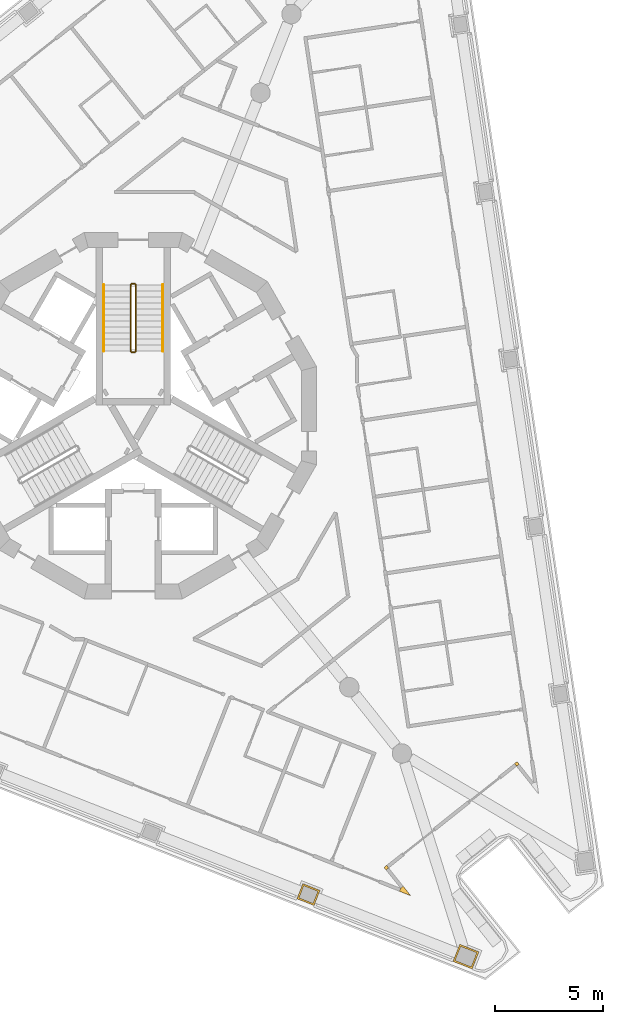
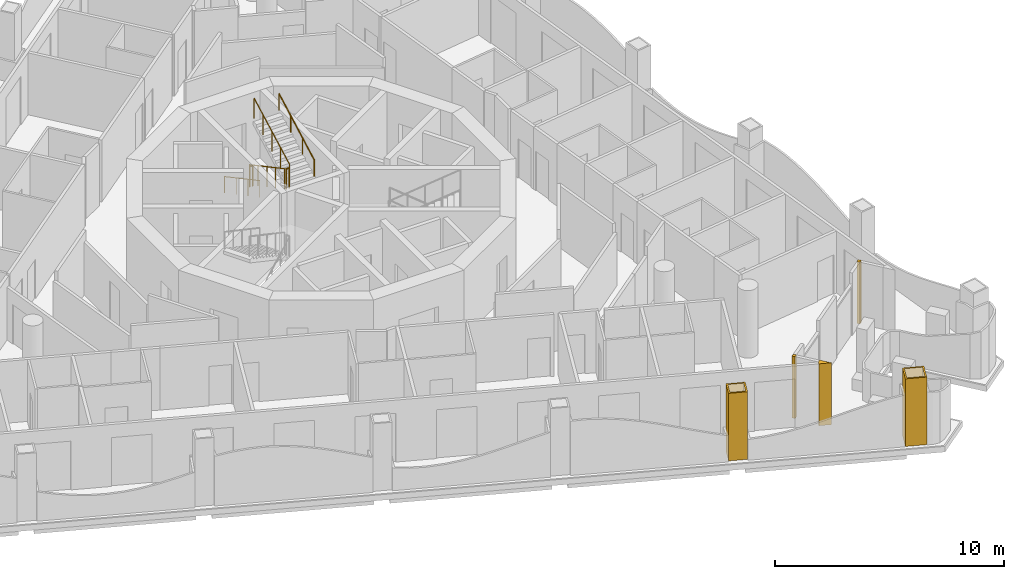
# One storey, part 13 of 16: 6 railings, 5 coverings.
"""IFC4 building model written with IfcOpenShell, lengths in metres."""

import ifcopenshell
import ifcopenshell.guid

model = None  # the IFC model being written
_history = None  # IfcOwnerHistory: only IFC2X3 demands one
_inside = {}  # id of a spatial element -> (the spatial element, [elements in it])
_under = {}  # id of a project, library or spatial element -> (it, [spatial elements below it])
_declared = {}  # id of a project -> (the project, [libraries it declares])
_typed = {}  # id of a type object -> (the type object, [elements of that type])
_made_of = {}  # id of a material, layer set ... -> (it, [elements and type objects made of it])


def new_model(schema):
    """Start an empty IFC model of exactly this schema.

    Asked for "IFC4X3", IfcOpenShell would pick the latest addendum, in which some entities
    have other attributes; the version numbers below select the first issue.
    IFC2X3 requires an IfcOwnerHistory on every rooted entity: one is made here for all.
    """
    global model, _history
    if schema == "IFC4X3":
        model = ifcopenshell.file(schema_version=(4, 3, 0, 0))
    else:
        model = ifcopenshell.file(schema=schema)
    _inside.clear()
    _under.clear()
    _declared.clear()
    _typed.clear()
    _made_of.clear()
    _history = None
    if model.schema == "IFC2X3":
        org = make("IfcOrganization", Name="unknown")
        user = make(
            "IfcPersonAndOrganization",
            ThePerson=make("IfcPerson", FamilyName="unknown"),
            TheOrganization=org,
        )
        app = make(
            "IfcApplication",
            ApplicationDeveloper=org,
            Version="unknown",
            ApplicationFullName="unknown",
            ApplicationIdentifier="unknown",
        )
        _history = make(
            "IfcOwnerHistory",
            OwningUser=user,
            OwningApplication=app,
            ChangeAction="ADDED",
            CreationDate=0,
        )
    return model


def make(cls, **values):
    """One entity of the class cls with the attributes given. An attribute that is None is left unset."""
    return model.create_entity(
        cls, **{name: value for name, value in values.items() if value is not None}
    )


def rooted(cls, **values):
    """An entity with a GlobalId (a new one), such as an element, a storey or a relation."""
    return make(cls, GlobalId=ifcopenshell.guid.new(), OwnerHistory=_history, **values)


def si_unit(unit_type, name, prefix=None):
    """IfcSIUnit, for example si_unit("LENGTHUNIT", "METRE", prefix="MILLI")."""
    return make("IfcSIUnit", UnitType=unit_type, Prefix=prefix, Name=name)


def assignment(units):
    """IfcUnitAssignment: the units of a project."""
    return None if units is None else make("IfcUnitAssignment", Units=units)


def point(xyz):
    """IfcCartesianPoint."""
    return None if xyz is None else make("IfcCartesianPoint", Coordinates=xyz)


def direction(xyz):
    """IfcDirection."""
    return None if xyz is None else make("IfcDirection", DirectionRatios=xyz)


def frame(location, z_axis=None, x_axis=None):
    """IfcAxis2Placement3D, a coordinate frame: its origin and axes. An axis left out is left unset."""
    return make(
        "IfcAxis2Placement3D",
        Location=point(location),
        Axis=direction(z_axis),
        RefDirection=direction(x_axis),
    )


def frame_2d(location, x_axis=None):
    """IfcAxis2Placement2D, a coordinate frame in the plane: its origin and x axis."""
    return make(
        "IfcAxis2Placement2D", Location=point(location), RefDirection=direction(x_axis)
    )


def origin():
    """The frame at (0, 0, 0) with its axes left unset."""
    return frame((0.0, 0.0, 0.0))


def origin_2d():
    """The frame at (0, 0) in the plane with its x axis left unset."""
    return frame_2d((0.0, 0.0))


def place(relative_to, where):
    """IfcLocalPlacement: puts the frame where relative to a parent placement (None: the world)."""
    return make(
        "IfcLocalPlacement", PlacementRelTo=relative_to, RelativePlacement=where
    )


def context(
    kind, dimensions, precision=None, world=None, true_north=None, identifier=None
):
    """IfcGeometricRepresentationContext, for example the 3D "Model" context."""
    return make(
        "IfcGeometricRepresentationContext",
        ContextIdentifier=identifier,
        ContextType=kind,
        CoordinateSpaceDimension=dimensions,
        Precision=precision,
        WorldCoordinateSystem=world,
        TrueNorth=true_north,
    )


def subcontext(parent, identifier, kind, view, scale=None):
    """IfcGeometricRepresentationSubContext, for example "Body" below "Model"."""
    return make(
        "IfcGeometricRepresentationSubContext",
        ContextIdentifier=identifier,
        ContextType=kind,
        ParentContext=parent,
        TargetScale=scale,
        TargetView=view,
    )


def project(units=None, contexts=None):
    """IfcProject with its units and contexts."""
    return rooted(
        "IfcProject",
        Name="project",
        RepresentationContexts=contexts,
        UnitsInContext=assignment(units),
    )


def spatial(cls, under=None, at=None, **own):
    """A site, building, storey or space (cls), placed at a placement, below another one or the project."""
    s = rooted(cls, ObjectPlacement=at, **own)
    if under is not None:
        _under.setdefault(under.id(), (under, []))[1].append(s)
    return s


def polyline(points):
    """IfcPolyline through the points."""
    return make("IfcPolyline", Points=[point(p) for p in points])


def profile(cls, at=None, kind="AREA", **sizes):
    """A parametric profile (cls). Its sizes go by their IFC names, for example OverallWidth=200.0."""
    return make(cls, ProfileType=kind, Position=at, **sizes)


def circle(**sizes):
    """IfcCircleProfileDef."""
    return profile("IfcCircleProfileDef", **sizes)


def outline(outer, holes=None, kind="AREA"):
    """IfcArbitraryClosedProfileDef: a profile drawn as a closed curve; with holes, ...WithVoids."""
    if holes is None:
        return make("IfcArbitraryClosedProfileDef", ProfileType=kind, OuterCurve=outer)
    return make(
        "IfcArbitraryProfileDefWithVoids",
        ProfileType=kind,
        OuterCurve=outer,
        InnerCurves=holes,
    )


def extrude(swept, where, along, depth):
    """IfcExtrudedAreaSolid: the profile swept, set in the frame where, extruded along a direction by depth."""
    return make(
        "IfcExtrudedAreaSolid",
        SweptArea=swept,
        Position=where,
        ExtrudedDirection=direction(along),
        Depth=depth,
    )


def shape(context_of_items, identifier, shape_type, items):
    """IfcShapeRepresentation: the items that make up one representation, for example the "Body"."""
    return make(
        "IfcShapeRepresentation",
        ContextOfItems=context_of_items,
        RepresentationIdentifier=identifier,
        RepresentationType=shape_type,
        Items=items,
    )


def material(Name=None, Category=None):
    """IfcMaterial."""
    return make("IfcMaterial", Name=Name, Category=Category)


def layer(
    of_material, thickness, ventilated=None, Name=None, Category=None, Priority=None
):
    """IfcMaterialLayer: one layer of a wall or slab, of a material (None: an air gap)."""
    return make(
        "IfcMaterialLayer",
        Material=of_material,
        LayerThickness=thickness,
        IsVentilated=ventilated,
        Name=Name,
        Category=Category,
        Priority=Priority,
    )


def layer_set(layers, Name=None):
    """IfcMaterialLayerSet."""
    return make("IfcMaterialLayerSet", MaterialLayers=layers, LayerSetName=Name)


def made_of(thing, what):
    """Note that an element or type object is made of a material, layer set ...; save() writes the relation."""
    if what is not None:
        _made_of.setdefault(what.id(), (what, []))[1].append(thing)
    return thing


def type_object(cls, material=None, **own):
    """A type object (cls), such as IfcWallType, which elements share."""
    return made_of(rooted(cls, **own), material)


def element(
    cls,
    number,
    at=None,
    inside=None,
    cuts=None,
    type_object=None,
    material=None,
    context=None,
    identifier="Body",
    shape_type=None,
    held_by="IfcProductDefinitionShape",
    body=None,
    shapes=None,
    **own,
):
    """One element of the class cls, such as IfcWall. Its Tag is "e" and its number.

    at: its placement. inside: the storey or other place that contains it. cuts: it is an
    opening in that element (IfcRelVoidsElement). A single representation is given by context,
    identifier, shape_type and body (its items); several are given by shapes. held_by: the class
    of the entity that holds the representations. save() writes the other relations.
    """
    e = rooted(cls, Tag="e%d" % number, ObjectPlacement=at, **own)
    if body is not None:
        shapes = [shape(context, identifier, shape_type, body)]
    if shapes is not None:
        e.Representation = make(held_by, Representations=shapes)
    if inside is not None:
        _inside.setdefault(inside.id(), (inside, []))[1].append(e)
    if cuts is not None:
        rooted(
            "IfcRelVoidsElement", RelatingBuildingElement=cuts, RelatedOpeningElement=e
        )
    if type_object is not None:
        _typed.setdefault(type_object.id(), (type_object, []))[1].append(e)
    return made_of(e, material)


def aggregate(whole, parts):
    """IfcRelAggregates: a whole, such as a stair, and the parts it consists of."""
    return rooted("IfcRelAggregates", RelatingObject=whole, RelatedObjects=parts)


def save(model, path):
    """Write the relations noted so far, then the file.

    IfcRelAggregates (storeys below a building ...), IfcRelContainedInSpatialStructure (elements
    in a storey), IfcRelDefinesByType, IfcRelAssociatesMaterial and IfcRelDeclares: one each for
    every whole, place, type object, material and project.
    """
    for whole, parts in _under.values():
        aggregate(whole, parts)
    for where, things in _inside.values():
        rooted(
            "IfcRelContainedInSpatialStructure",
            RelatedElements=things,
            RelatingStructure=where,
        )
    for kind, things in _typed.values():
        rooted("IfcRelDefinesByType", RelatedObjects=things, RelatingType=kind)
    for what, things in _made_of.values():
        rooted("IfcRelAssociatesMaterial", RelatedObjects=things, RelatingMaterial=what)
    for by, libraries in _declared.values():
        rooted("IfcRelDeclares", RelatingContext=by, RelatedDefinitions=libraries)
    model.write(path)


model = new_model("IFC4")

# Units and contexts
model_context = context("Model", 3, precision=1e-05, world=origin(), true_north=direction((0.0, 1.0)))
body_context = subcontext(model_context, "Body", "Model", "MODEL_VIEW")
ifc_project = project(units=[si_unit("LENGTHUNIT", "METRE"), si_unit("AREAUNIT", "SQUARE_METRE"), si_unit("VOLUMEUNIT", "CUBIC_METRE"), si_unit("PLANEANGLEUNIT", "RADIAN"), si_unit("MASSUNIT", "GRAM", prefix="KILO")], contexts=[model_context])

# Site, building, storey
site_placement = place(None, origin())
site = spatial("IfcSite", under=ifc_project, at=site_placement, CompositionType="ELEMENT")
building_placement = place(site_placement, origin())
building = spatial("IfcBuilding", under=site, at=building_placement, Name="Trine Commons Tower", CompositionType="ELEMENT")
storey_placement = place(building_placement, frame((0.0, 0.0, 223.199951171875)))
storey = spatial("IfcBuildingStorey", under=building, at=storey_placement, Name="L58", CompositionType="ELEMENT", Elevation=223.199951171875)

# Coverings
ifc_material_1 = material(Name="Aluminium-framed insulated wall panel", Category="aluminium")
ifc_layer_1 = layer(ifc_material_1, 0.14990234375)
ifc_layer_set_1 = layer_set([ifc_layer_1], Name="Aluminium-framed insulated wall panel")
covering_type_1 = type_object("IfcCoveringType", Name="Glazing corner post, aluminium", PredefinedType="CLADDING", material=ifc_layer_set_1)
covering_1_placement = place(storey_placement, origin())
element("IfcCovering", 1, at=covering_1_placement, inside=storey, type_object=covering_type_1, Name="Glazing corner post 6-07", PredefinedType="CLADDING", context=body_context, shape_type="SweptSolid", body=[
    extrude(outline(polyline([(97.682861328125, 46.35791015625), (97.7763671875, 46.240478515625), (97.7763671875, 46.240478515625), (97.893798828125, 46.333740234375), (97.80029296875, 46.451171875), (97.80029296875, 46.451171875), (97.682861328125, 46.35791015625)])), origin(), (0.0, 0.0, 1.0), 3.300048828125),
])
covering_2_placement = place(storey_placement, origin())
element("IfcCovering", 2, at=covering_2_placement, inside=storey, type_object=covering_type_1, Name="Glazing corner post 6-08", PredefinedType="CLADDING", context=body_context, shape_type="SweptSolid", body=[
    extrude(outline(polyline([(91.726806640625, 41.42822265625), (91.843994140625, 41.521728515625), (91.750732421875, 41.63916015625), (91.63330078125, 41.545654296875), (91.726806640625, 41.42822265625)])), origin(), (0.0, 0.0, 1.0), 3.300048828125),
])
covering_3_placement = place(storey_placement, origin())
element("IfcCovering", 3, at=covering_3_placement, inside=storey, type_object=covering_type_1, Name="Glazing corner post 6-09", PredefinedType="CLADDING", context=body_context, shape_type="SweptSolid", body=[
    extrude(outline(polyline([(92.34765625, 40.439208984375), (92.868408203125, 40.23388671875), (92.52001953125, 40.672119140625), (92.402587890625, 40.57861328125), (92.34765625, 40.439208984375)])), origin(), (0.0, 0.0, 1.0), 3.300048828125),
])
ifc_material_2 = material(Name="Limestone, honed", Category="masonry")
ifc_layer_2 = layer(ifc_material_2, 0.074951171875)
ifc_layer_set_2 = layer_set([ifc_layer_2], Name="Limestone, honed")
covering_type_2 = type_object("IfcCoveringType", Name="Limestone column cladding 75", PredefinedType="CLADDING", material=ifc_layer_set_2)
covering_4_placement = place(storey_placement, origin())
element("IfcCovering", 4, at=covering_4_placement, inside=storey, type_object=covering_type_2, Name="Limestone pier cladding 6-01", PredefinedType="CLADDING", context=body_context, shape_type="SweptSolid", body=[
    extrude(outline(polyline([(95.143310546875, 37.978271484375), (94.831787109375, 37.1875), (95.715576171875, 36.839111328125), (96.027099609375, 37.6298828125), (95.143310546875, 37.978271484375)]), holes=[polyline([(95.185546875, 37.880859375), (94.928955078125, 37.229736328125), (95.67333984375, 36.9365234375), (95.9296875, 37.587646484375), (95.185546875, 37.880859375)])]), origin(), (0.0, 0.0, 1.0), 3.60009765625),
])
covering_5_placement = place(storey_placement, origin())
element("IfcCovering", 5, at=covering_5_placement, inside=storey, type_object=covering_type_2, Name="Limestone pier cladding 6-02", PredefinedType="CLADDING", context=body_context, shape_type="SweptSolid", body=[
    extrude(outline(polyline([(87.8671875, 40.790771484375), (87.59228515625, 40.093017578125), (88.383056640625, 39.78125), (88.657958984375, 40.47900390625), (87.8671875, 40.790771484375)]), holes=[polyline([(87.909423828125, 40.693359375), (87.689453125, 40.13525390625), (88.3408203125, 39.878662109375), (88.560791015625, 40.436767578125), (87.909423828125, 40.693359375)])]), origin(), (0.0, 0.0, 1.0), 3.60009765625),
])

# Railings
ifc_material_3 = material(Name="Stainless steel balustrade", Category="steel")
railing_type_1 = type_object("IfcRailingType", Name="Stair guard, steel balustrade 1100", PredefinedType="GUARDRAIL", material=ifc_material_3)
railing_1_placement = place(storey_placement, frame((79.875, 68.570556640625, 0.150146484375)))
element("IfcRailing", 6, at=railing_1_placement, inside=storey, type_object=railing_type_1, Name="L58 ST1C stair guard 1", PredefinedType="GUARDRAIL", context=body_context, shape_type="SweptSolid", body=[
    extrude(circle(Radius=0.02392578125, at=origin_2d()), frame((0.0, 0.0, 1.076171875), z_axis=(0.0, -0.881496589024, 0.472190389079), x_axis=(1.0, 0.0, 0.0)), (0.0, 0.0, 1.0), 3.494140625),
    extrude(circle(Radius=0.02099609375, at=origin_2d()), origin(), (0.0, 0.0, 1.0), 1.052001953125),
    extrude(circle(Radius=0.02099609375, at=origin_2d()), frame((0.0, -0.77001953125, 0.41259765625)), (0.0, 0.0, 1.0), 1.052001953125),
    extrude(circle(Radius=0.02099609375, at=origin_2d()), frame((0.0, -1.5400390625, 0.824951171875)), (0.0, 0.0, 1.0), 1.052001953125),
    extrude(circle(Radius=0.02099609375, at=origin_2d()), frame((0.0, -2.31005859375, 1.2373046875)), (0.0, 0.0, 1.0), 1.052001953125),
    extrude(circle(Radius=0.02099609375, at=origin_2d()), frame((0.0, -3.080078125, 1.64990234375)), (0.0, 0.0, 1.0), 1.052001953125),
])
railing_2_placement = place(storey_placement, frame((79.925048828125, 65.440673828125, 1.800048828125)))
element("IfcRailing", 7, at=railing_2_placement, inside=storey, type_object=railing_type_1, Name="L58 ST1C stair guard 2", PredefinedType="GUARDRAIL", context=body_context, shape_type="SweptSolid", body=[
    extrude(circle(Radius=0.02392578125, at=origin_2d()), frame((0.0, 0.0, 1.076171875), z_axis=(1.0, 0.0, 0.0), x_axis=(0.0, 1.0, 0.0)), (0.0, 0.0, 1.0), 0.14990234375),
    extrude(circle(Radius=0.02099609375, at=origin_2d()), origin(), (0.0, 0.0, 1.0), 1.052001953125),
    extrude(circle(Radius=0.02099609375, at=origin_2d()), frame((0.14990234375, 0.0, 0.0)), (0.0, 0.0, 1.0), 1.052001953125),
])
railing_3_placement = place(storey_placement, frame((80.125, 65.490478515625, 1.949951171875)))
element("IfcRailing", 8, at=railing_3_placement, inside=storey, type_object=railing_type_1, Name="L58 ST1C stair guard 3", PredefinedType="GUARDRAIL", context=body_context, shape_type="SweptSolid", body=[
    extrude(circle(Radius=0.02392578125, at=origin_2d()), frame((0.0, 0.0, 1.076171875), z_axis=(0.0, 0.881467505477, 0.472244678941), x_axis=(-1.0, 0.0, 0.0)), (0.0, 0.0, 1.0), 3.494140625),
    extrude(circle(Radius=0.02099609375, at=origin_2d()), origin(), (0.0, 0.0, 1.0), 1.052001953125),
    extrude(circle(Radius=0.02099609375, at=origin_2d()), frame((0.0, 0.77001953125, 0.41259765625)), (0.0, 0.0, 1.0), 1.052001953125),
    extrude(circle(Radius=0.02099609375, at=origin_2d()), frame((0.0, 1.5400390625, 0.8251953125)), (0.0, 0.0, 1.0), 1.052001953125),
    extrude(circle(Radius=0.02099609375, at=origin_2d()), frame((0.0, 2.31005859375, 1.237548828125)), (0.0, 0.0, 1.0), 1.052001953125),
    extrude(circle(Radius=0.02099609375, at=origin_2d()), frame((0.0, 3.080078125, 1.650146484375)), (0.0, 0.0, 1.0), 1.052001953125),
])
railing_4_placement = place(storey_placement, frame((79.925048828125, 68.62060546875, 0.0)))
element("IfcRailing", 9, at=railing_4_placement, inside=storey, type_object=railing_type_1, Name="L58 ST1C stair guard 4", PredefinedType="GUARDRAIL", context=body_context, shape_type="SweptSolid", body=[
    extrude(circle(Radius=0.02392578125, at=origin_2d()), frame((0.0, 0.0, 1.076171875), z_axis=(1.0, 0.0, 0.0), x_axis=(0.0, 1.0, 0.0)), (0.0, 0.0, 1.0), 0.14990234375),
    extrude(circle(Radius=0.02099609375, at=origin_2d()), origin(), (0.0, 0.0, 1.0), 1.052001953125),
    extrude(circle(Radius=0.02099609375, at=origin_2d()), frame((0.14990234375, 0.0, 0.0)), (0.0, 0.0, 1.0), 1.052001953125),
])
ifc_material_4 = material(Name="Stainless steel handrail", Category="steel")
railing_type_2 = type_object("IfcRailingType", Name="Stair handrail, steel 900", PredefinedType="HANDRAIL", material=ifc_material_4)
railing_5_placement = place(storey_placement, frame((78.625, 68.570556640625, 0.150146484375)))
element("IfcRailing", 10, at=railing_5_placement, inside=storey, type_object=railing_type_2, Name="L58 ST1C stair handrail 1", PredefinedType="HANDRAIL", context=body_context, shape_type="SweptSolid", body=[
    extrude(circle(Radius=0.02099609375, at=origin_2d()), frame((0.0, 0.0, 0.87890625), z_axis=(0.0, -0.881496589024, 0.472190389079), x_axis=(1.0, 0.0, 0.0)), (0.0, 0.0, 1.0), 3.494140625),
    extrude(circle(Radius=0.01513671875, at=origin_2d()), origin(), (0.0, 0.0, 1.0), 0.85791015625),
    extrude(circle(Radius=0.01513671875, at=origin_2d()), frame((0.0, -1.026611328125, 0.550048828125)), (0.0, 0.0, 1.0), 0.85791015625),
    extrude(circle(Radius=0.01513671875, at=origin_2d()), frame((0.0, -2.053466796875, 1.099853515625)), (0.0, 0.0, 1.0), 0.85791015625),
    extrude(circle(Radius=0.01513671875, at=origin_2d()), frame((0.0, -3.080078125, 1.64990234375)), (0.0, 0.0, 1.0), 0.85791015625),
])
railing_6_placement = place(storey_placement, frame((81.375, 65.490478515625, 1.949951171875)))
element("IfcRailing", 11, at=railing_6_placement, inside=storey, type_object=railing_type_2, Name="L58 ST1C stair handrail 2", PredefinedType="HANDRAIL", context=body_context, shape_type="SweptSolid", body=[
    extrude(circle(Radius=0.02099609375, at=origin_2d()), frame((0.0, 0.0, 0.87890625), z_axis=(0.0, 0.881467505477, 0.472244678941), x_axis=(-1.0, 0.0, 0.0)), (0.0, 0.0, 1.0), 3.494140625),
    extrude(circle(Radius=0.01513671875, at=origin_2d()), origin(), (0.0, 0.0, 1.0), 0.85791015625),
    extrude(circle(Radius=0.01513671875, at=origin_2d()), frame((0.0, 1.026611328125, 0.550048828125)), (0.0, 0.0, 1.0), 0.85791015625),
    extrude(circle(Radius=0.01513671875, at=origin_2d()), frame((0.0, 2.053466796875, 1.10009765625)), (0.0, 0.0, 1.0), 0.85791015625),
    extrude(circle(Radius=0.01513671875, at=origin_2d()), frame((0.0, 3.080078125, 1.650146484375)), (0.0, 0.0, 1.0), 0.85791015625),
])

save(model, "model.ifc")
